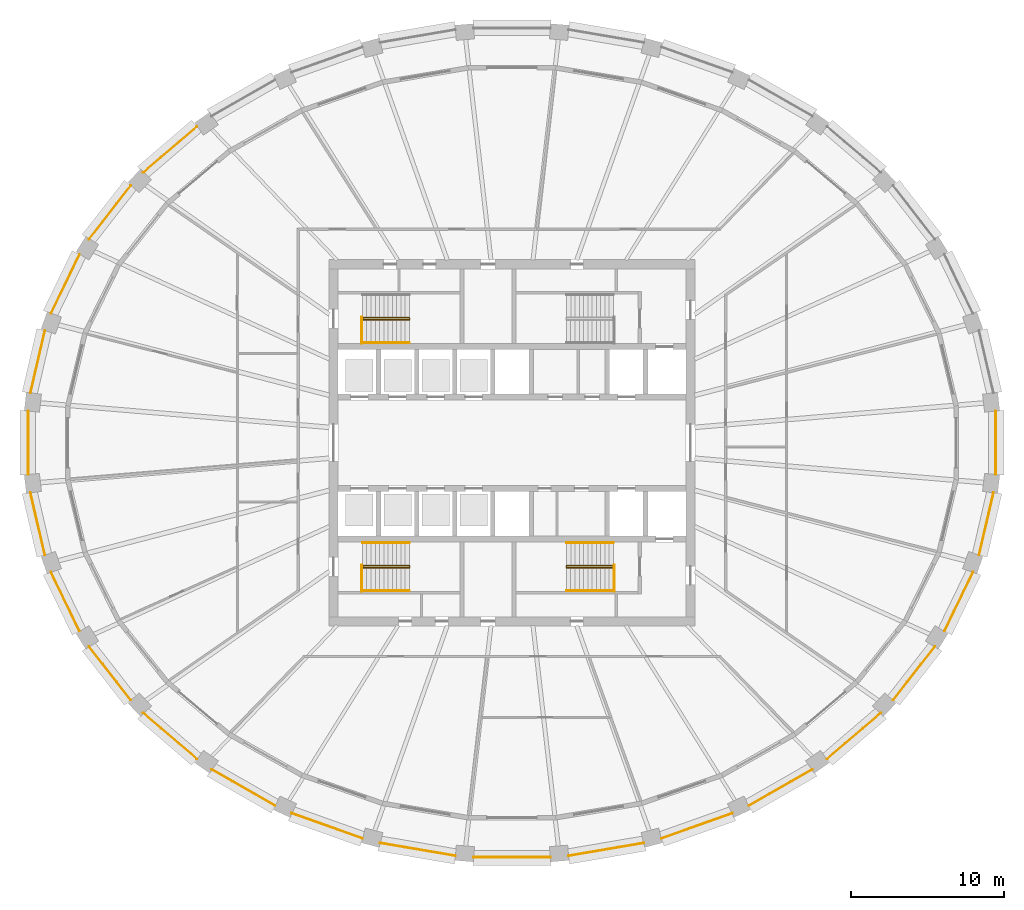
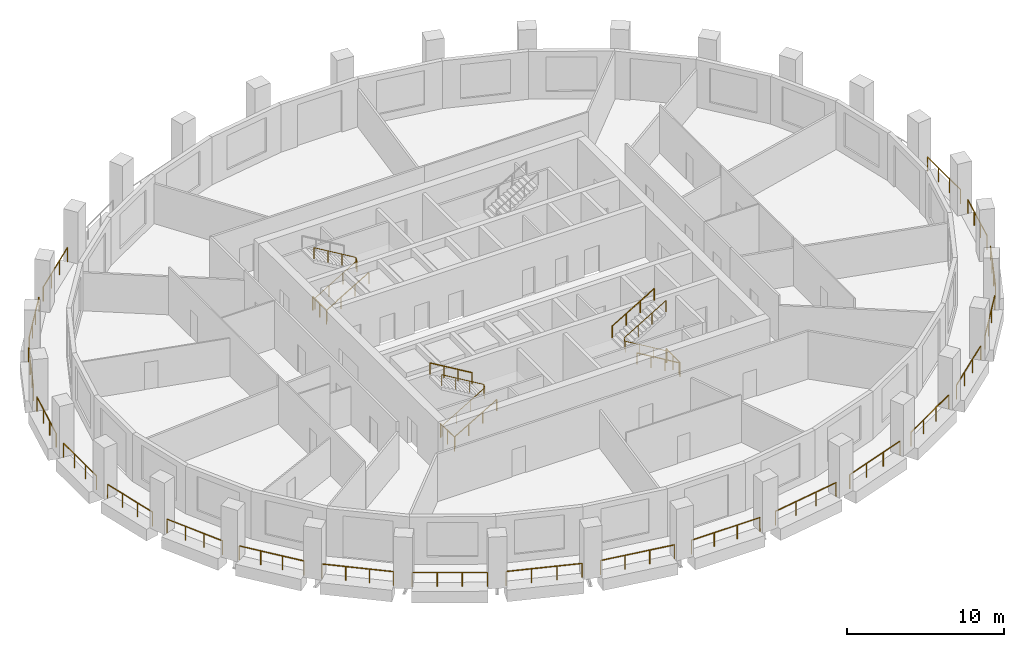
# One storey, part 9 of 11: 32 railings.
"""IFC4 building model written with IfcOpenShell, lengths in metres."""

from ifc_helpers import new_model, si_unit, direction, frame, origin, origin_2d, place, context, subcontext, project, spatial, circle, extrude, material, type_object, element, save


model = new_model("IFC4")

# Units and contexts
model_context = context("Model", 3, precision=1e-05, world=origin(), true_north=direction((0.0, 1.0)))
body_context = subcontext(model_context, "Body", "Model", "MODEL_VIEW")
ifc_project = project(units=[si_unit("LENGTHUNIT", "METRE"), si_unit("AREAUNIT", "SQUARE_METRE"), si_unit("VOLUMEUNIT", "CUBIC_METRE"), si_unit("PLANEANGLEUNIT", "RADIAN"), si_unit("MASSUNIT", "GRAM", prefix="KILO")], contexts=[model_context])

# Site, building, storey
site_placement = place(None, origin())
site = spatial("IfcSite", under=ifc_project, at=site_placement, CompositionType="ELEMENT")
building_placement = place(site_placement, origin())
building = spatial("IfcBuilding", under=site, at=building_placement, Name="Halqa Exchange Tower", CompositionType="ELEMENT")
storey_placement = place(building_placement, frame((0.0, 0.0, 222.89990234375)))
storey = spatial("IfcBuildingStorey", under=building, at=storey_placement, Name="L51", CompositionType="ELEMENT", Elevation=222.89990234375)

# Railings
ifc_material = material(Name="Stainless steel", Category="steel")
railing_type_1 = type_object("IfcRailingType", Name="Guard 1100 stainless steel", PredefinedType="GUARDRAIL", material=ifc_material)
railing_1_placement = place(storey_placement, frame((-20.659423828125, 20.711181640625, 0.0)))
element("IfcRailing", 1, at=railing_1_placement, inside=storey, type_object=railing_type_1, Name="Loggia guard 12", PredefinedType="GUARDRAIL", context=body_context, shape_type="SweptSolid", body=[
    extrude(circle(Radius=0.02392578125, at=origin_2d()), frame((0.0, 0.0, 1.076171875), z_axis=(-0.759252867817, -0.650795730403, 0.0), x_axis=(0.650795730403, -0.759252867817, 0.0)), (0.0, 0.0, 1.0), 4.614501953125),
    extrude(circle(Radius=0.02099609375, at=origin_2d()), origin(), (0.0, 0.0, 1.0), 1.052001953125),
    extrude(circle(Radius=0.02099609375, at=origin_2d()), frame((-1.16796875, -1.0009765625, 0.0)), (0.0, 0.0, 1.0), 1.052001953125),
    extrude(circle(Radius=0.02099609375, at=origin_2d()), frame((-2.335693359375, -2.002197265625, 0.0)), (0.0, 0.0, 1.0), 1.052001953125),
    extrude(circle(Radius=0.02099609375, at=origin_2d()), frame((-3.503662109375, -3.003173828125, 0.0)), (0.0, 0.0, 1.0), 1.052001953125),
])
railing_2_placement = place(storey_placement, frame((-24.9873046875, 16.844482421875, 0.0)))
element("IfcRailing", 2, at=railing_2_placement, inside=storey, type_object=railing_type_1, Name="Loggia guard 13", PredefinedType="GUARDRAIL", context=body_context, shape_type="SweptSolid", body=[
    extrude(circle(Radius=0.02392578125, at=origin_2d()), frame((0.0, 0.0, 1.076171875), z_axis=(-0.614819222514, -0.788668069359, 0.0), x_axis=(0.788668069359, -0.614819222514, 0.0)), (0.0, 0.0, 1.0), 4.44189453125),
    extrude(circle(Radius=0.02099609375, at=origin_2d()), origin(), (0.0, 0.0, 1.0), 1.052001953125),
    extrude(circle(Radius=0.02099609375, at=origin_2d()), frame((-0.910400390625, -1.167724609375, 0.0)), (0.0, 0.0, 1.0), 1.052001953125),
    extrude(circle(Radius=0.02099609375, at=origin_2d()), frame((-1.820556640625, -2.33544921875, 0.0)), (0.0, 0.0, 1.0), 1.052001953125),
    extrude(circle(Radius=0.02099609375, at=origin_2d()), frame((-2.73095703125, -3.503173828125, 0.0)), (0.0, 0.0, 1.0), 1.052001953125),
])
railing_3_placement = place(storey_placement, frame((-28.34814453125, 12.327880859375, 0.0)))
element("IfcRailing", 3, at=railing_3_placement, inside=storey, type_object=railing_type_1, Name="Loggia guard 14", PredefinedType="GUARDRAIL", context=body_context, shape_type="SweptSolid", body=[
    extrude(circle(Radius=0.02392578125, at=origin_2d()), frame((0.0, 0.0, 1.076171875), z_axis=(-0.435087945374, -0.900387960709, 0.0), x_axis=(0.900387960709, -0.435087945374, 0.0)), (0.0, 0.0, 1.0), 4.291015625),
    extrude(circle(Radius=0.02099609375, at=origin_2d()), origin(), (0.0, 0.0, 1.0), 1.052001953125),
    extrude(circle(Radius=0.02099609375, at=origin_2d()), frame((-0.622314453125, -1.287841796875, 0.0)), (0.0, 0.0, 1.0), 1.052001953125),
    extrude(circle(Radius=0.02099609375, at=origin_2d()), frame((-1.24462890625, -2.57568359375, 0.0)), (0.0, 0.0, 1.0), 1.052001953125),
    extrude(circle(Radius=0.02099609375, at=origin_2d()), frame((-1.866943359375, -3.863525390625, 0.0)), (0.0, 0.0, 1.0), 1.052001953125),
])
railing_4_placement = place(storey_placement, frame((-30.61181640625, 7.339599609375, 0.0)))
element("IfcRailing", 4, at=railing_4_placement, inside=storey, type_object=railing_type_1, Name="Loggia guard 15", PredefinedType="GUARDRAIL", context=body_context, shape_type="SweptSolid", body=[
    extrude(circle(Radius=0.02392578125, at=origin_2d()), frame((0.0, 0.0, 1.076171875), z_axis=(-0.226068466012, -0.974111414919, 0.0), x_axis=(0.974111414919, -0.226068466012, 0.0)), (0.0, 0.0, 1.0), 4.18798828125),
    extrude(circle(Radius=0.02099609375, at=origin_2d()), origin(), (0.0, 0.0, 1.0), 1.052001953125),
    extrude(circle(Radius=0.02099609375, at=origin_2d()), frame((-0.315673828125, -1.35986328125, 0.0)), (0.0, 0.0, 1.0), 1.052001953125),
    extrude(circle(Radius=0.02099609375, at=origin_2d()), frame((-0.631103515625, -2.7197265625, 0.0)), (0.0, 0.0, 1.0), 1.052001953125),
    extrude(circle(Radius=0.02099609375, at=origin_2d()), frame((-0.94677734375, -4.07958984375, 0.0)), (0.0, 0.0, 1.0), 1.052001953125),
])
railing_5_placement = place(storey_placement, frame((-31.6943359375, 2.07568359375, 0.0)))
element("IfcRailing", 5, at=railing_5_placement, inside=storey, type_object=railing_type_1, Name="Loggia guard 16", PredefinedType="GUARDRAIL", context=body_context, shape_type="SweptSolid", body=[
    extrude(circle(Radius=0.02392578125, at=origin_2d()), frame((0.0, 0.0, 1.076171875), z_axis=(0.0, -1.0, 0.0), x_axis=(1.0, 0.0, 0.0)), (0.0, 0.0, 1.0), 4.1513671875),
    extrude(circle(Radius=0.02099609375, at=origin_2d()), origin(), (0.0, 0.0, 1.0), 1.052001953125),
    extrude(circle(Radius=0.02099609375, at=origin_2d()), frame((0.0, -1.3837890625, 0.0)), (0.0, 0.0, 1.0), 1.052001953125),
    extrude(circle(Radius=0.02099609375, at=origin_2d()), frame((0.0, -2.767578125, 0.0)), (0.0, 0.0, 1.0), 1.052001953125),
    extrude(circle(Radius=0.02099609375, at=origin_2d()), frame((0.0, -4.1513671875, 0.0)), (0.0, 0.0, 1.0), 1.052001953125),
])
railing_6_placement = place(storey_placement, frame((-31.55859375, -3.260009765625, 0.0)))
element("IfcRailing", 6, at=railing_6_placement, inside=storey, type_object=railing_type_1, Name="Loggia guard 17", PredefinedType="GUARDRAIL", context=body_context, shape_type="SweptSolid", body=[
    extrude(circle(Radius=0.02392578125, at=origin_2d()), frame((0.0, 0.0, 1.076171875), z_axis=(0.226068466012, -0.974111414919, 0.0), x_axis=(0.974111414919, 0.226068466012, 0.0)), (0.0, 0.0, 1.0), 4.18798828125),
    extrude(circle(Radius=0.02099609375, at=origin_2d()), origin(), (0.0, 0.0, 1.0), 1.052001953125),
    extrude(circle(Radius=0.02099609375, at=origin_2d()), frame((0.315673828125, -1.35986328125, 0.0)), (0.0, 0.0, 1.0), 1.052001953125),
    extrude(circle(Radius=0.02099609375, at=origin_2d()), frame((0.631103515625, -2.7197265625, 0.0)), (0.0, 0.0, 1.0), 1.052001953125),
    extrude(circle(Radius=0.02099609375, at=origin_2d()), frame((0.94677734375, -4.07958984375, 0.0)), (0.0, 0.0, 1.0), 1.052001953125),
])
railing_7_placement = place(storey_placement, frame((-30.215087890625, -8.46435546875, 0.0)))
element("IfcRailing", 7, at=railing_7_placement, inside=storey, type_object=railing_type_1, Name="Loggia guard 18", PredefinedType="GUARDRAIL", context=body_context, shape_type="SweptSolid", body=[
    extrude(circle(Radius=0.02392578125, at=origin_2d()), frame((0.0, 0.0, 1.076171875), z_axis=(0.435087945374, -0.900387960709, 0.0), x_axis=(0.900387960709, 0.435087945374, 0.0)), (0.0, 0.0, 1.0), 4.291015625),
    extrude(circle(Radius=0.02099609375, at=origin_2d()), origin(), (0.0, 0.0, 1.0), 1.052001953125),
    extrude(circle(Radius=0.02099609375, at=origin_2d()), frame((0.622314453125, -1.287841796875, 0.0)), (0.0, 0.0, 1.0), 1.052001953125),
    extrude(circle(Radius=0.02099609375, at=origin_2d()), frame((1.24462890625, -2.57568359375, 0.0)), (0.0, 0.0, 1.0), 1.052001953125),
    extrude(circle(Radius=0.02099609375, at=origin_2d()), frame((1.866943359375, -3.863525390625, 0.0)), (0.0, 0.0, 1.0), 1.052001953125),
])
railing_8_placement = place(storey_placement, frame((-27.71826171875, -13.34130859375, 0.0)))
element("IfcRailing", 8, at=railing_8_placement, inside=storey, type_object=railing_type_1, Name="Loggia guard 19", PredefinedType="GUARDRAIL", context=body_context, shape_type="SweptSolid", body=[
    extrude(circle(Radius=0.02392578125, at=origin_2d()), frame((0.0, 0.0, 1.076171875), z_axis=(0.614819222514, -0.788668069359, 0.0), x_axis=(0.788668069359, 0.614819222514, 0.0)), (0.0, 0.0, 1.0), 4.44189453125),
    extrude(circle(Radius=0.02099609375, at=origin_2d()), origin(), (0.0, 0.0, 1.0), 1.052001953125),
    extrude(circle(Radius=0.02099609375, at=origin_2d()), frame((0.910400390625, -1.167724609375, 0.0)), (0.0, 0.0, 1.0), 1.052001953125),
    extrude(circle(Radius=0.02099609375, at=origin_2d()), frame((1.820556640625, -2.33544921875, 0.0)), (0.0, 0.0, 1.0), 1.052001953125),
    extrude(circle(Radius=0.02099609375, at=origin_2d()), frame((2.73095703125, -3.503173828125, 0.0)), (0.0, 0.0, 1.0), 1.052001953125),
])
railing_9_placement = place(storey_placement, frame((-24.1630859375, -17.7080078125, 0.0)))
element("IfcRailing", 9, at=railing_9_placement, inside=storey, type_object=railing_type_1, Name="Loggia guard 20", PredefinedType="GUARDRAIL", context=body_context, shape_type="SweptSolid", body=[
    extrude(circle(Radius=0.02392578125, at=origin_2d()), frame((0.0, 0.0, 1.076171875), z_axis=(0.759252867817, -0.650795730403, 0.0), x_axis=(0.650795730403, 0.759252867817, 0.0)), (0.0, 0.0, 1.0), 4.614501953125),
    extrude(circle(Radius=0.02099609375, at=origin_2d()), origin(), (0.0, 0.0, 1.0), 1.052001953125),
    extrude(circle(Radius=0.02099609375, at=origin_2d()), frame((1.16796875, -1.0009765625, 0.0)), (0.0, 0.0, 1.0), 1.052001953125),
    extrude(circle(Radius=0.02099609375, at=origin_2d()), frame((2.335693359375, -2.002197265625, 0.0)), (0.0, 0.0, 1.0), 1.052001953125),
    extrude(circle(Radius=0.02099609375, at=origin_2d()), frame((3.503662109375, -3.003173828125, 0.0)), (0.0, 0.0, 1.0), 1.052001953125),
])
railing_10_placement = place(storey_placement, frame((-19.683349609375, -21.39990234375, 0.0)))
element("IfcRailing", 10, at=railing_10_placement, inside=storey, type_object=railing_type_1, Name="Loggia guard 21", PredefinedType="GUARDRAIL", context=body_context, shape_type="SweptSolid", body=[
    extrude(circle(Radius=0.02392578125, at=origin_2d()), frame((0.0, 0.0, 1.076171875), z_axis=(0.867749461597, -0.497001883194, 0.0), x_axis=(0.497001883194, 0.867749461597, 0.0)), (0.0, 0.0, 1.0), 4.781982421875),
    extrude(circle(Radius=0.02099609375, at=origin_2d()), origin(), (0.0, 0.0, 1.0), 1.052001953125),
    extrude(circle(Radius=0.02099609375, at=origin_2d()), frame((1.38330078125, -0.792236328125, 0.0)), (0.0, 0.0, 1.0), 1.052001953125),
    extrude(circle(Radius=0.02099609375, at=origin_2d()), frame((2.766357421875, -1.58447265625, 0.0)), (0.0, 0.0, 1.0), 1.052001953125),
    extrude(circle(Radius=0.02099609375, at=origin_2d()), frame((4.149658203125, -2.376708984375, 0.0)), (0.0, 0.0, 1.0), 1.052001953125),
])
railing_11_placement = place(storey_placement, frame((-14.447509765625, -24.275390625, 0.0)))
element("IfcRailing", 11, at=railing_11_placement, inside=storey, type_object=railing_type_1, Name="Loggia guard 22", PredefinedType="GUARDRAIL", context=body_context, shape_type="SweptSolid", body=[
    extrude(circle(Radius=0.02392578125, at=origin_2d()), frame((0.0, 0.0, 1.076171875), z_axis=(0.94236215661, -0.33459462905, 0.0), x_axis=(0.33459462905, 0.94236215661, 0.0)), (0.0, 0.0, 1.0), 4.9208984375),
    extrude(circle(Radius=0.02099609375, at=origin_2d()), origin(), (0.0, 0.0, 1.0), 1.052001953125),
    extrude(circle(Radius=0.02099609375, at=origin_2d()), frame((1.545654296875, -0.548828125, 0.0)), (0.0, 0.0, 1.0), 1.052001953125),
    extrude(circle(Radius=0.02099609375, at=origin_2d()), frame((3.091552734375, -1.09765625, 0.0)), (0.0, 0.0, 1.0), 1.052001953125),
    extrude(circle(Radius=0.02099609375, at=origin_2d()), frame((4.63720703125, -1.646484375, 0.0)), (0.0, 0.0, 1.0), 1.052001953125),
])
railing_12_placement = place(storey_placement, frame((-8.6533203125, -26.223388671875, 0.0)))
element("IfcRailing", 12, at=railing_12_placement, inside=storey, type_object=railing_type_1, Name="Loggia guard 23", PredefinedType="GUARDRAIL", context=body_context, shape_type="SweptSolid", body=[
    extrude(circle(Radius=0.02392578125, at=origin_2d()), frame((0.0, 0.0, 1.076171875), z_axis=(0.985774837826, -0.168071321497, 0.0), x_axis=(0.168071321497, 0.985774837826, 0.0)), (0.0, 0.0, 1.0), 5.011474609375),
    extrude(circle(Radius=0.02099609375, at=origin_2d()), origin(), (0.0, 0.0, 1.0), 1.052001953125),
    extrude(circle(Radius=0.02099609375, at=origin_2d()), frame((1.646728515625, -0.28076171875, 0.0)), (0.0, 0.0, 1.0), 1.052001953125),
    extrude(circle(Radius=0.02099609375, at=origin_2d()), frame((3.29345703125, -0.5615234375, 0.0)), (0.0, 0.0, 1.0), 1.052001953125),
    extrude(circle(Radius=0.02099609375, at=origin_2d()), frame((4.940185546875, -0.84228515625, 0.0)), (0.0, 0.0, 1.0), 1.052001953125),
])
railing_13_placement = place(storey_placement, frame((-2.521484375, -27.16650390625, 0.0)))
element("IfcRailing", 13, at=railing_13_placement, inside=storey, type_object=railing_type_1, Name="Loggia guard 24", PredefinedType="GUARDRAIL", context=body_context, shape_type="SweptSolid", body=[
    extrude(circle(Radius=0.02392578125, at=origin_2d()), frame((0.0, 0.0, 1.076171875), z_axis=(1.0, 0.0, 0.0), x_axis=(0.0, 1.0, 0.0)), (0.0, 0.0, 1.0), 5.04296875),
    extrude(circle(Radius=0.02099609375, at=origin_2d()), origin(), (0.0, 0.0, 1.0), 1.052001953125),
    extrude(circle(Radius=0.02099609375, at=origin_2d()), frame((1.680908203125, 0.0, 0.0)), (0.0, 0.0, 1.0), 1.052001953125),
    extrude(circle(Radius=0.02099609375, at=origin_2d()), frame((3.362060546875, 0.0, 0.0)), (0.0, 0.0, 1.0), 1.052001953125),
    extrude(circle(Radius=0.02099609375, at=origin_2d()), frame((5.04296875, 0.0, 0.0)), (0.0, 0.0, 1.0), 1.052001953125),
])
railing_14_placement = place(storey_placement, frame((3.713134765625, -27.065673828125, 0.0)))
element("IfcRailing", 14, at=railing_14_placement, inside=storey, type_object=railing_type_1, Name="Loggia guard 25", PredefinedType="GUARDRAIL", context=body_context, shape_type="SweptSolid", body=[
    extrude(circle(Radius=0.02392578125, at=origin_2d()), frame((0.0, 0.0, 1.076171875), z_axis=(0.985774837826, 0.168071321497, 0.0), x_axis=(-0.168071321497, 0.985774837826, 0.0)), (0.0, 0.0, 1.0), 5.011474609375),
    extrude(circle(Radius=0.02099609375, at=origin_2d()), origin(), (0.0, 0.0, 1.0), 1.052001953125),
    extrude(circle(Radius=0.02099609375, at=origin_2d()), frame((1.646728515625, 0.28076171875, 0.0)), (0.0, 0.0, 1.0), 1.052001953125),
    extrude(circle(Radius=0.02099609375, at=origin_2d()), frame((3.29345703125, 0.5615234375, 0.0)), (0.0, 0.0, 1.0), 1.052001953125),
    extrude(circle(Radius=0.02099609375, at=origin_2d()), frame((4.940185546875, 0.84228515625, 0.0)), (0.0, 0.0, 1.0), 1.052001953125),
])
railing_15_placement = place(storey_placement, frame((9.810302734375, -25.921875, 0.0)))
element("IfcRailing", 15, at=railing_15_placement, inside=storey, type_object=railing_type_1, Name="Loggia guard 26", PredefinedType="GUARDRAIL", context=body_context, shape_type="SweptSolid", body=[
    extrude(circle(Radius=0.02392578125, at=origin_2d()), frame((0.0, 0.0, 1.076171875), z_axis=(0.94236215661, 0.33459462905, 0.0), x_axis=(-0.33459462905, 0.94236215661, 0.0)), (0.0, 0.0, 1.0), 4.9208984375),
    extrude(circle(Radius=0.02099609375, at=origin_2d()), origin(), (0.0, 0.0, 1.0), 1.052001953125),
    extrude(circle(Radius=0.02099609375, at=origin_2d()), frame((1.545654296875, 0.548828125, 0.0)), (0.0, 0.0, 1.0), 1.052001953125),
    extrude(circle(Radius=0.02099609375, at=origin_2d()), frame((3.091552734375, 1.09765625, 0.0)), (0.0, 0.0, 1.0), 1.052001953125),
    extrude(circle(Radius=0.02099609375, at=origin_2d()), frame((4.63720703125, 1.646484375, 0.0)), (0.0, 0.0, 1.0), 1.052001953125),
])
railing_16_placement = place(storey_placement, frame((15.53369140625, -23.776611328125, 0.0)))
element("IfcRailing", 16, at=railing_16_placement, inside=storey, type_object=railing_type_1, Name="Loggia guard 27", PredefinedType="GUARDRAIL", context=body_context, shape_type="SweptSolid", body=[
    extrude(circle(Radius=0.02392578125, at=origin_2d()), frame((0.0, 0.0, 1.076171875), z_axis=(0.867749461597, 0.497001883194, 0.0), x_axis=(-0.497001883194, 0.867749461597, 0.0)), (0.0, 0.0, 1.0), 4.781982421875),
    extrude(circle(Radius=0.02099609375, at=origin_2d()), origin(), (0.0, 0.0, 1.0), 1.052001953125),
    extrude(circle(Radius=0.02099609375, at=origin_2d()), frame((1.38330078125, 0.792236328125, 0.0)), (0.0, 0.0, 1.0), 1.052001953125),
    extrude(circle(Radius=0.02099609375, at=origin_2d()), frame((2.766357421875, 1.58447265625, 0.0)), (0.0, 0.0, 1.0), 1.052001953125),
    extrude(circle(Radius=0.02099609375, at=origin_2d()), frame((4.149658203125, 2.376708984375, 0.0)), (0.0, 0.0, 1.0), 1.052001953125),
])
railing_17_placement = place(storey_placement, frame((20.659423828125, -20.711181640625, 0.0)))
element("IfcRailing", 17, at=railing_17_placement, inside=storey, type_object=railing_type_1, Name="Loggia guard 28", PredefinedType="GUARDRAIL", context=body_context, shape_type="SweptSolid", body=[
    extrude(circle(Radius=0.02392578125, at=origin_2d()), frame((0.0, 0.0, 1.076171875), z_axis=(0.759252867817, 0.650795730403, 0.0), x_axis=(-0.650795730403, 0.759252867817, 0.0)), (0.0, 0.0, 1.0), 4.614501953125),
    extrude(circle(Radius=0.02099609375, at=origin_2d()), origin(), (0.0, 0.0, 1.0), 1.052001953125),
    extrude(circle(Radius=0.02099609375, at=origin_2d()), frame((1.16796875, 1.0009765625, 0.0)), (0.0, 0.0, 1.0), 1.052001953125),
    extrude(circle(Radius=0.02099609375, at=origin_2d()), frame((2.335693359375, 2.002197265625, 0.0)), (0.0, 0.0, 1.0), 1.052001953125),
    extrude(circle(Radius=0.02099609375, at=origin_2d()), frame((3.503662109375, 3.003173828125, 0.0)), (0.0, 0.0, 1.0), 1.052001953125),
])
railing_18_placement = place(storey_placement, frame((24.9873046875, -16.844482421875, 0.0)))
element("IfcRailing", 18, at=railing_18_placement, inside=storey, type_object=railing_type_1, Name="Loggia guard 29", PredefinedType="GUARDRAIL", context=body_context, shape_type="SweptSolid", body=[
    extrude(circle(Radius=0.02392578125, at=origin_2d()), frame((0.0, 0.0, 1.076171875), z_axis=(0.614819222514, 0.788668069359, 0.0), x_axis=(-0.788668069359, 0.614819222514, 0.0)), (0.0, 0.0, 1.0), 4.44189453125),
    extrude(circle(Radius=0.02099609375, at=origin_2d()), origin(), (0.0, 0.0, 1.0), 1.052001953125),
    extrude(circle(Radius=0.02099609375, at=origin_2d()), frame((0.910400390625, 1.167724609375, 0.0)), (0.0, 0.0, 1.0), 1.052001953125),
    extrude(circle(Radius=0.02099609375, at=origin_2d()), frame((1.820556640625, 2.33544921875, 0.0)), (0.0, 0.0, 1.0), 1.052001953125),
    extrude(circle(Radius=0.02099609375, at=origin_2d()), frame((2.73095703125, 3.503173828125, 0.0)), (0.0, 0.0, 1.0), 1.052001953125),
])
railing_19_placement = place(storey_placement, frame((28.34814453125, -12.327880859375, 0.0)))
element("IfcRailing", 19, at=railing_19_placement, inside=storey, type_object=railing_type_1, Name="Loggia guard 30", PredefinedType="GUARDRAIL", context=body_context, shape_type="SweptSolid", body=[
    extrude(circle(Radius=0.02392578125, at=origin_2d()), frame((0.0, 0.0, 1.076171875), z_axis=(0.435087945374, 0.900387960709, 0.0), x_axis=(-0.900387960709, 0.435087945374, 0.0)), (0.0, 0.0, 1.0), 4.291015625),
    extrude(circle(Radius=0.02099609375, at=origin_2d()), origin(), (0.0, 0.0, 1.0), 1.052001953125),
    extrude(circle(Radius=0.02099609375, at=origin_2d()), frame((0.622314453125, 1.287841796875, 0.0)), (0.0, 0.0, 1.0), 1.052001953125),
    extrude(circle(Radius=0.02099609375, at=origin_2d()), frame((1.24462890625, 2.57568359375, 0.0)), (0.0, 0.0, 1.0), 1.052001953125),
    extrude(circle(Radius=0.02099609375, at=origin_2d()), frame((1.866943359375, 3.863525390625, 0.0)), (0.0, 0.0, 1.0), 1.052001953125),
])
railing_20_placement = place(storey_placement, frame((30.61181640625, -7.339599609375, 0.0)))
element("IfcRailing", 20, at=railing_20_placement, inside=storey, type_object=railing_type_1, Name="Loggia guard 31", PredefinedType="GUARDRAIL", context=body_context, shape_type="SweptSolid", body=[
    extrude(circle(Radius=0.02392578125, at=origin_2d()), frame((0.0, 0.0, 1.076171875), z_axis=(0.226068466012, 0.974111414919, 0.0), x_axis=(-0.974111414919, 0.226068466012, 0.0)), (0.0, 0.0, 1.0), 4.18798828125),
    extrude(circle(Radius=0.02099609375, at=origin_2d()), origin(), (0.0, 0.0, 1.0), 1.052001953125),
    extrude(circle(Radius=0.02099609375, at=origin_2d()), frame((0.315673828125, 1.35986328125, 0.0)), (0.0, 0.0, 1.0), 1.052001953125),
    extrude(circle(Radius=0.02099609375, at=origin_2d()), frame((0.631103515625, 2.7197265625, 0.0)), (0.0, 0.0, 1.0), 1.052001953125),
    extrude(circle(Radius=0.02099609375, at=origin_2d()), frame((0.94677734375, 4.07958984375, 0.0)), (0.0, 0.0, 1.0), 1.052001953125),
])
railing_21_placement = place(storey_placement, frame((31.6943359375, -2.07568359375, 0.0)))
element("IfcRailing", 21, at=railing_21_placement, inside=storey, type_object=railing_type_1, Name="Loggia guard 32", PredefinedType="GUARDRAIL", context=body_context, shape_type="SweptSolid", body=[
    extrude(circle(Radius=0.02392578125, at=origin_2d()), frame((0.0, 0.0, 1.076171875), z_axis=(0.0, 1.0, 0.0), x_axis=(-1.0, 0.0, 0.0)), (0.0, 0.0, 1.0), 4.1513671875),
    extrude(circle(Radius=0.02099609375, at=origin_2d()), origin(), (0.0, 0.0, 1.0), 1.052001953125),
    extrude(circle(Radius=0.02099609375, at=origin_2d()), frame((0.0, 1.3837890625, 0.0)), (0.0, 0.0, 1.0), 1.052001953125),
    extrude(circle(Radius=0.02099609375, at=origin_2d()), frame((0.0, 2.767578125, 0.0)), (0.0, 0.0, 1.0), 1.052001953125),
    extrude(circle(Radius=0.02099609375, at=origin_2d()), frame((0.0, 4.1513671875, 0.0)), (0.0, 0.0, 1.0), 1.052001953125),
])
railing_type_2 = type_object("IfcRailingType", Name="Stair handrail 900", PredefinedType="HANDRAIL", material=ifc_material)
railing_22_placement = place(storey_placement, frame((-9.800048828125, 8.06005859375, 0.166748046875)))
element("IfcRailing", 22, at=railing_22_placement, inside=storey, type_object=railing_type_2, Name="Handrail ST1.1", PredefinedType="HANDRAIL", context=body_context, shape_type="SweptSolid", body=[
    extrude(circle(Radius=0.02392578125, at=origin_2d()), frame((0.0, 0.0, 0.8759765625), z_axis=(0.859308565015, 0.0, 0.511457515432), x_axis=(0.0, 1.0, 0.0)), (0.0, 0.0, 1.0), 3.58447265625),
    extrude(circle(Radius=0.02392578125, at=origin_2d()), frame((3.080078125, 0.0, 2.708984375), z_axis=(0.0, 0.614500226555, 0.788916644243), x_axis=(-1.0, 0.0, 0.0)), (0.0, 0.0, 1.0), 0.21142578125),
    extrude(circle(Radius=0.02392578125, at=origin_2d()), frame((3.080078125, 0.1298828125, 2.8759765625), z_axis=(-0.859308565015, 0.0, 0.511457515432), x_axis=(0.0, -1.0, 0.0)), (0.0, 0.0, 1.0), 3.58447265625),
    extrude(circle(Radius=0.02099609375, at=origin_2d()), origin(), (0.0, 0.0, 1.0), 0.851806640625),
    extrude(circle(Radius=0.02099609375, at=origin_2d()), frame((1.026611328125, 0.0, 0.611083984375)), (0.0, 0.0, 1.0), 0.851806640625),
    extrude(circle(Radius=0.02099609375, at=origin_2d()), frame((2.053466796875, 0.0, 1.22216796875)), (0.0, 0.0, 1.0), 0.851806640625),
    extrude(circle(Radius=0.02099609375, at=origin_2d()), frame((3.080078125, 0.0, 1.833251953125)), (0.0, 0.0, 1.0), 0.851806640625),
    extrude(circle(Radius=0.02099609375, at=origin_2d()), frame((3.080078125, 0.1298828125, 2.0)), (0.0, 0.0, 1.0), 0.851806640625),
    extrude(circle(Radius=0.02099609375, at=origin_2d()), frame((2.053466796875, 0.1298828125, 2.611083984375)), (0.0, 0.0, 1.0), 0.851806640625),
    extrude(circle(Radius=0.02099609375, at=origin_2d()), frame((1.026611328125, 0.1298828125, 3.22216796875)), (0.0, 0.0, 1.0), 0.851806640625),
    extrude(circle(Radius=0.02099609375, at=origin_2d()), frame((0.0, 0.1298828125, 3.833251953125)), (0.0, 0.0, 1.0), 0.851806640625),
])
railing_23_placement = place(storey_placement, frame((-9.800048828125, 6.550048828125, 0.166748046875)))
element("IfcRailing", 23, at=railing_23_placement, inside=storey, type_object=railing_type_2, Name="Handrail ST1.2", PredefinedType="HANDRAIL", context=body_context, shape_type="SweptSolid", body=[
    extrude(circle(Radius=0.02392578125, at=origin_2d()), frame((0.0, 0.0, 0.8759765625), z_axis=(0.859308565015, 0.0, 0.511457515432), x_axis=(0.0, 1.0, 0.0)), (0.0, 0.0, 1.0), 3.58447265625),
    extrude(circle(Radius=0.02099609375, at=origin_2d()), origin(), (0.0, 0.0, 1.0), 0.851806640625),
    extrude(circle(Radius=0.02099609375, at=origin_2d()), frame((1.026611328125, 0.0, 0.611083984375)), (0.0, 0.0, 1.0), 0.851806640625),
    extrude(circle(Radius=0.02099609375, at=origin_2d()), frame((2.053466796875, 0.0, 1.22216796875)), (0.0, 0.0, 1.0), 0.851806640625),
    extrude(circle(Radius=0.02099609375, at=origin_2d()), frame((3.080078125, 0.0, 1.833251953125)), (0.0, 0.0, 1.0), 0.851806640625),
])
railing_24_placement = place(storey_placement, frame((-9.800048828125, -8.18994140625, 0.166748046875)))
element("IfcRailing", 24, at=railing_24_placement, inside=storey, type_object=railing_type_2, Name="Handrail ST3.1", PredefinedType="HANDRAIL", context=body_context, shape_type="SweptSolid", body=[
    extrude(circle(Radius=0.02392578125, at=origin_2d()), frame((0.0, 0.0, 0.8759765625), z_axis=(0.859308565015, 0.0, 0.511457515432), x_axis=(0.0, 1.0, 0.0)), (0.0, 0.0, 1.0), 3.58447265625),
    extrude(circle(Radius=0.02392578125, at=origin_2d()), frame((3.080078125, 0.0, 2.708984375), z_axis=(0.0, 0.614500226555, 0.788916644243), x_axis=(-1.0, 0.0, 0.0)), (0.0, 0.0, 1.0), 0.21142578125),
    extrude(circle(Radius=0.02392578125, at=origin_2d()), frame((3.080078125, 0.1298828125, 2.8759765625), z_axis=(-0.859308565015, 0.0, 0.511457515432), x_axis=(0.0, -1.0, 0.0)), (0.0, 0.0, 1.0), 3.58447265625),
    extrude(circle(Radius=0.02099609375, at=origin_2d()), origin(), (0.0, 0.0, 1.0), 0.851806640625),
    extrude(circle(Radius=0.02099609375, at=origin_2d()), frame((1.026611328125, 0.0, 0.611083984375)), (0.0, 0.0, 1.0), 0.851806640625),
    extrude(circle(Radius=0.02099609375, at=origin_2d()), frame((2.053466796875, 0.0, 1.22216796875)), (0.0, 0.0, 1.0), 0.851806640625),
    extrude(circle(Radius=0.02099609375, at=origin_2d()), frame((3.080078125, 0.0, 1.833251953125)), (0.0, 0.0, 1.0), 0.851806640625),
    extrude(circle(Radius=0.02099609375, at=origin_2d()), frame((3.080078125, 0.1298828125, 2.0)), (0.0, 0.0, 1.0), 0.851806640625),
    extrude(circle(Radius=0.02099609375, at=origin_2d()), frame((2.053466796875, 0.1298828125, 2.611083984375)), (0.0, 0.0, 1.0), 0.851806640625),
    extrude(circle(Radius=0.02099609375, at=origin_2d()), frame((1.026611328125, 0.1298828125, 3.22216796875)), (0.0, 0.0, 1.0), 0.851806640625),
    extrude(circle(Radius=0.02099609375, at=origin_2d()), frame((0.0, 0.1298828125, 3.833251953125)), (0.0, 0.0, 1.0), 0.851806640625),
])
railing_25_placement = place(storey_placement, frame((-9.800048828125, -9.699951171875, 0.166748046875)))
element("IfcRailing", 25, at=railing_25_placement, inside=storey, type_object=railing_type_2, Name="Handrail ST3.2", PredefinedType="HANDRAIL", context=body_context, shape_type="SweptSolid", body=[
    extrude(circle(Radius=0.02392578125, at=origin_2d()), frame((0.0, 0.0, 0.8759765625), z_axis=(0.859308565015, 0.0, 0.511457515432), x_axis=(0.0, 1.0, 0.0)), (0.0, 0.0, 1.0), 3.58447265625),
    extrude(circle(Radius=0.02099609375, at=origin_2d()), origin(), (0.0, 0.0, 1.0), 0.851806640625),
    extrude(circle(Radius=0.02099609375, at=origin_2d()), frame((1.026611328125, 0.0, 0.611083984375)), (0.0, 0.0, 1.0), 0.851806640625),
    extrude(circle(Radius=0.02099609375, at=origin_2d()), frame((2.053466796875, 0.0, 1.22216796875)), (0.0, 0.0, 1.0), 0.851806640625),
    extrude(circle(Radius=0.02099609375, at=origin_2d()), frame((3.080078125, 0.0, 1.833251953125)), (0.0, 0.0, 1.0), 0.851806640625),
])
railing_26_placement = place(storey_placement, frame((-6.719970703125, -6.550048828125, 2.166748046875)))
element("IfcRailing", 26, at=railing_26_placement, inside=storey, type_object=railing_type_2, Name="Handrail ST3.3", PredefinedType="HANDRAIL", context=body_context, shape_type="SweptSolid", body=[
    extrude(circle(Radius=0.02392578125, at=origin_2d()), frame((0.0, 0.0, 0.8759765625), z_axis=(-0.859308565015, 0.0, 0.511457515432), x_axis=(0.0, -1.0, 0.0)), (0.0, 0.0, 1.0), 3.58447265625),
    extrude(circle(Radius=0.02099609375, at=origin_2d()), origin(), (0.0, 0.0, 1.0), 0.851806640625),
    extrude(circle(Radius=0.02099609375, at=origin_2d()), frame((-1.026611328125, 0.0, 0.611083984375)), (0.0, 0.0, 1.0), 0.851806640625),
    extrude(circle(Radius=0.02099609375, at=origin_2d()), frame((-2.053466796875, 0.0, 1.22216796875)), (0.0, 0.0, 1.0), 0.851806640625),
    extrude(circle(Radius=0.02099609375, at=origin_2d()), frame((-3.080078125, 0.0, 1.833251953125)), (0.0, 0.0, 1.0), 0.851806640625),
])
railing_27_placement = place(storey_placement, frame((6.64990234375, -8.18994140625, 0.166748046875)))
element("IfcRailing", 27, at=railing_27_placement, inside=storey, type_object=railing_type_2, Name="Handrail ST4.1", PredefinedType="HANDRAIL", context=body_context, shape_type="SweptSolid", body=[
    extrude(circle(Radius=0.02392578125, at=origin_2d()), frame((0.0, 0.0, 0.8759765625), z_axis=(-0.859290745958, 0.0, 0.51148745235), x_axis=(0.0, -1.0, 0.0)), (0.0, 0.0, 1.0), 3.584228515625),
    extrude(circle(Radius=0.02392578125, at=origin_2d()), frame((-3.079833984375, 0.0, 2.708984375), z_axis=(0.0, 0.614500226555, 0.788916644243), x_axis=(-1.0, 0.0, 0.0)), (0.0, 0.0, 1.0), 0.21142578125),
    extrude(circle(Radius=0.02392578125, at=origin_2d()), frame((-3.079833984375, 0.1298828125, 2.8759765625), z_axis=(0.859290745958, 0.0, 0.51148745235), x_axis=(0.0, 1.0, 0.0)), (0.0, 0.0, 1.0), 3.584228515625),
    extrude(circle(Radius=0.02099609375, at=origin_2d()), origin(), (0.0, 0.0, 1.0), 0.851806640625),
    extrude(circle(Radius=0.02099609375, at=origin_2d()), frame((-1.026611328125, 0.0, 0.611083984375)), (0.0, 0.0, 1.0), 0.851806640625),
    extrude(circle(Radius=0.02099609375, at=origin_2d()), frame((-2.05322265625, 0.0, 1.22216796875)), (0.0, 0.0, 1.0), 0.851806640625),
    extrude(circle(Radius=0.02099609375, at=origin_2d()), frame((-3.079833984375, 0.0, 1.833251953125)), (0.0, 0.0, 1.0), 0.851806640625),
    extrude(circle(Radius=0.02099609375, at=origin_2d()), frame((-3.079833984375, 0.1298828125, 2.0)), (0.0, 0.0, 1.0), 0.851806640625),
    extrude(circle(Radius=0.02099609375, at=origin_2d()), frame((-2.05322265625, 0.1298828125, 2.611083984375)), (0.0, 0.0, 1.0), 0.851806640625),
    extrude(circle(Radius=0.02099609375, at=origin_2d()), frame((-1.026611328125, 0.1298828125, 3.22216796875)), (0.0, 0.0, 1.0), 0.851806640625),
    extrude(circle(Radius=0.02099609375, at=origin_2d()), frame((0.0, 0.1298828125, 3.833251953125)), (0.0, 0.0, 1.0), 0.851806640625),
])
railing_28_placement = place(storey_placement, frame((6.64990234375, -9.699951171875, 0.166748046875)))
element("IfcRailing", 28, at=railing_28_placement, inside=storey, type_object=railing_type_2, Name="Handrail ST4.2", PredefinedType="HANDRAIL", context=body_context, shape_type="SweptSolid", body=[
    extrude(circle(Radius=0.02392578125, at=origin_2d()), frame((0.0, 0.0, 0.8759765625), z_axis=(-0.859290745958, 0.0, 0.51148745235), x_axis=(0.0, -1.0, 0.0)), (0.0, 0.0, 1.0), 3.584228515625),
    extrude(circle(Radius=0.02099609375, at=origin_2d()), origin(), (0.0, 0.0, 1.0), 0.851806640625),
    extrude(circle(Radius=0.02099609375, at=origin_2d()), frame((-1.026611328125, 0.0, 0.611083984375)), (0.0, 0.0, 1.0), 0.851806640625),
    extrude(circle(Radius=0.02099609375, at=origin_2d()), frame((-2.05322265625, 0.0, 1.22216796875)), (0.0, 0.0, 1.0), 0.851806640625),
    extrude(circle(Radius=0.02099609375, at=origin_2d()), frame((-3.079833984375, 0.0, 1.833251953125)), (0.0, 0.0, 1.0), 0.851806640625),
])
railing_29_placement = place(storey_placement, frame((3.570068359375, -6.550048828125, 2.166748046875)))
element("IfcRailing", 29, at=railing_29_placement, inside=storey, type_object=railing_type_2, Name="Handrail ST4.3", PredefinedType="HANDRAIL", context=body_context, shape_type="SweptSolid", body=[
    extrude(circle(Radius=0.02392578125, at=origin_2d()), frame((0.0, 0.0, 0.8759765625), z_axis=(0.859290745958, 0.0, 0.51148745235), x_axis=(0.0, 1.0, 0.0)), (0.0, 0.0, 1.0), 3.584228515625),
    extrude(circle(Radius=0.02099609375, at=origin_2d()), origin(), (0.0, 0.0, 1.0), 0.851806640625),
    extrude(circle(Radius=0.02099609375, at=origin_2d()), frame((1.026611328125, 0.0, 0.611083984375)), (0.0, 0.0, 1.0), 0.851806640625),
    extrude(circle(Radius=0.02099609375, at=origin_2d()), frame((2.05322265625, 0.0, 1.22216796875)), (0.0, 0.0, 1.0), 0.851806640625),
    extrude(circle(Radius=0.02099609375, at=origin_2d()), frame((3.079833984375, 0.0, 1.833251953125)), (0.0, 0.0, 1.0), 0.851806640625),
])
railing_type_3 = type_object("IfcRailingType", Name="Stair well guard 1100", PredefinedType="GUARDRAIL", material=ifc_material)
for number, where, name in (
    (30, (-9.85009765625, 6.5, 0.0), "Guard ST1 well"),
    (31, (-9.85009765625, -9.75, 0.0), "Guard ST3 well"),
    (32, (6.699951171875, -9.75, 0.0), "Guard ST4 well"),
):
    element("IfcRailing", number, at=place(storey_placement, frame(where)), inside=storey, type_object=railing_type_3, Name=name, PredefinedType="GUARDRAIL", context=body_context, shape_type="SweptSolid", body=[
        extrude(circle(Radius=0.02392578125, at=origin_2d()), frame((0.0, 0.0, 1.076171875), z_axis=(0.0, 1.0, 0.0), x_axis=(-1.0, 0.0, 0.0)), (0.0, 0.0, 1.0), 1.75),
        extrude(circle(Radius=0.02099609375, at=origin_2d()), origin(), (0.0, 0.0, 1.0), 1.052001953125),
        extrude(circle(Radius=0.02099609375, at=origin_2d()), frame((0.0, 0.875, 0.0)), (0.0, 0.0, 1.0), 1.052001953125),
        extrude(circle(Radius=0.02099609375, at=origin_2d()), frame((0.0, 1.75, 0.0)), (0.0, 0.0, 1.0), 1.052001953125),
    ])

save(model, "model.ifc")
